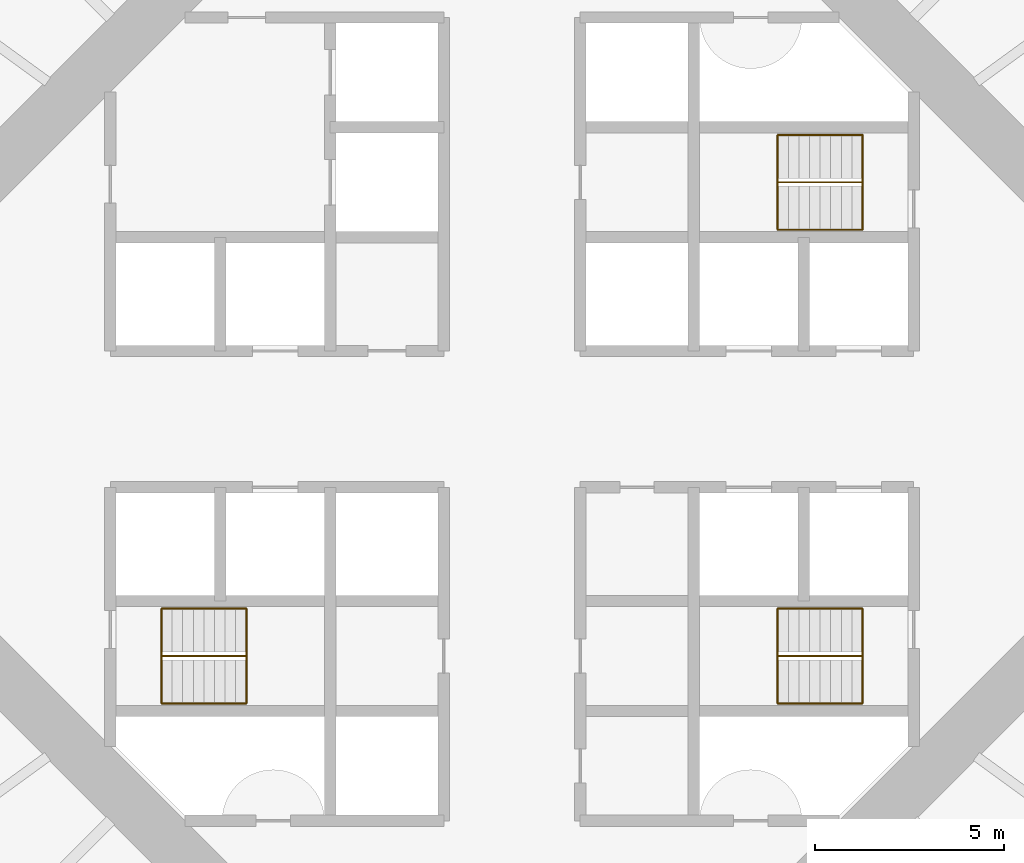
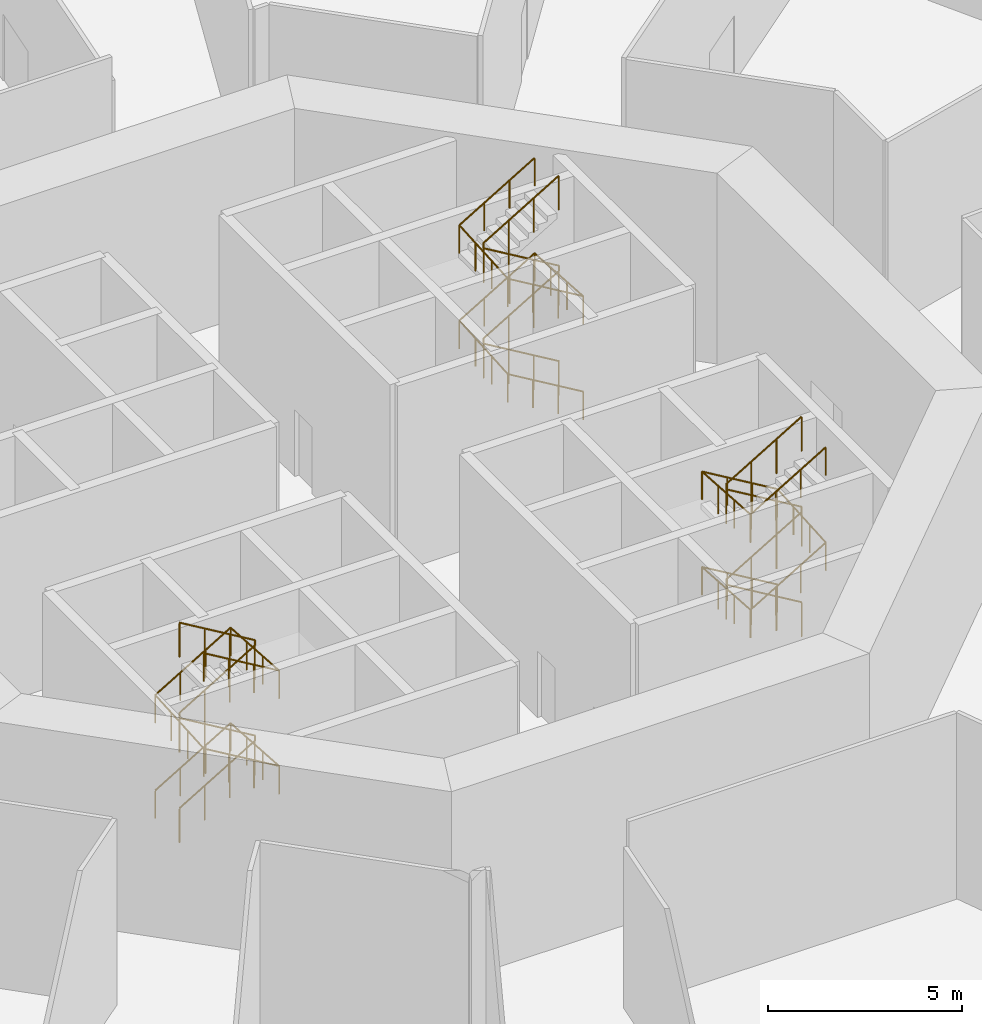
# One storey, part 14 of 14: 6 railings.
"""IFC4 building model written with IfcOpenShell, lengths in metres."""

from ifc_helpers import new_model, si_unit, direction, frame, origin, origin_2d, place, context, subcontext, project, spatial, circle, extrude, material, type_object, element, save


model = new_model("IFC4")

# Units and contexts
model_context = context("Model", 3, precision=1e-05, world=origin(), true_north=direction((0.0, 1.0)))
body_context = subcontext(model_context, "Body", "Model", "MODEL_VIEW")
ifc_project = project(units=[si_unit("LENGTHUNIT", "METRE"), si_unit("AREAUNIT", "SQUARE_METRE"), si_unit("VOLUMEUNIT", "CUBIC_METRE"), si_unit("PLANEANGLEUNIT", "RADIAN"), si_unit("MASSUNIT", "GRAM", prefix="KILO")], contexts=[model_context])

# Site, building, storey
site_placement = place(None, origin())
site = spatial("IfcSite", under=ifc_project, at=site_placement, CompositionType="ELEMENT")
building_placement = place(site_placement, origin())
building = spatial("IfcBuilding", under=site, at=building_placement, Name="Entoto Ring Tower", CompositionType="ELEMENT")
storey_placement = place(building_placement, frame((0.0, 0.0, 12.0)))
storey = spatial("IfcBuildingStorey", under=building, at=storey_placement, Name="L01", CompositionType="ELEMENT", Elevation=12.0)

# Railings
ifc_material_1 = material(Name="Steel S275", Category="steel")
railing_type_1 = type_object("IfcRailingType", Name="Stair guard 1100 mm steel", PredefinedType="GUARDRAIL", material=ifc_material_1)
railing_1_placement = place(storey_placement, frame((99.25, 86.25, 0.166748046875)))
element("IfcRailing", 1, at=railing_1_placement, inside=storey, type_object=railing_type_1, Name="Guard ST1", PredefinedType="GUARDRAIL", context=body_context, shape_type="SweptSolid", body=[
    extrude(circle(Radius=0.02392578125, at=origin_2d()), frame((0.0, 0.0, 1.076171875), z_axis=(-0.859305625298, 0.0, 0.511462454469), x_axis=(0.0, -1.0, 0.0)), (0.0, 0.0, 1.0), 2.606689453125),
    extrude(circle(Radius=0.02392578125, at=origin_2d()), frame((-2.239990234375, 0.0, 2.4091796875), z_axis=(0.0, 0.0, 1.0), x_axis=(1.0, 0.0, 0.0)), (0.0, 0.0, 1.0), 0.166748046875),
    extrude(circle(Radius=0.02392578125, at=origin_2d()), frame((-2.239990234375, 0.0, 2.576171875), z_axis=(0.859305625298, 0.0, 0.511462454469), x_axis=(0.0, 1.0, 0.0)), (0.0, 0.0, 1.0), 2.606689453125),
    extrude(circle(Radius=0.02392578125, at=origin_2d()), frame((0.0, 0.0, 3.9091796875), z_axis=(0.0, 0.0, 1.0), x_axis=(1.0, 0.0, 0.0)), (0.0, 0.0, 1.0), 0.166748046875),
    extrude(circle(Radius=0.02392578125, at=origin_2d()), frame((0.0, 0.0, 4.076171875), z_axis=(-0.859305625298, 0.0, 0.511462454469), x_axis=(0.0, -1.0, 0.0)), (0.0, 0.0, 1.0), 2.606689453125),
    extrude(circle(Radius=0.02392578125, at=origin_2d()), frame((-2.239990234375, 0.0, 5.4091796875), z_axis=(0.0, 0.0, 1.0), x_axis=(1.0, 0.0, 0.0)), (0.0, 0.0, 1.0), 0.166748046875),
    extrude(circle(Radius=0.02392578125, at=origin_2d()), frame((-2.239990234375, 0.0, 5.576171875), z_axis=(0.859305625298, 0.0, 0.511462454469), x_axis=(0.0, 1.0, 0.0)), (0.0, 0.0, 1.0), 2.606689453125),
    extrude(circle(Radius=0.02099609375, at=origin_2d()), origin(), (0.0, 0.0, 1.0), 1.052001953125),
    extrude(circle(Radius=0.02099609375, at=origin_2d()), frame((-0.74658203125, 0.0, 0.4443359375)), (0.0, 0.0, 1.0), 1.052001953125),
    extrude(circle(Radius=0.02099609375, at=origin_2d()), frame((-1.493408203125, 0.0, 0.888916015625)), (0.0, 0.0, 1.0), 1.052001953125),
    extrude(circle(Radius=0.02099609375, at=origin_2d()), frame((-2.239990234375, 0.0, 1.333251953125)), (0.0, 0.0, 1.0), 1.052001953125),
    extrude(circle(Radius=0.02099609375, at=origin_2d()), frame((-2.239990234375, 0.0, 1.5)), (0.0, 0.0, 1.0), 1.052001953125),
    extrude(circle(Radius=0.02099609375, at=origin_2d()), frame((-1.493408203125, 0.0, 1.9443359375)), (0.0, 0.0, 1.0), 1.052001953125),
    extrude(circle(Radius=0.02099609375, at=origin_2d()), frame((-0.74658203125, 0.0, 2.388916015625)), (0.0, 0.0, 1.0), 1.052001953125),
    extrude(circle(Radius=0.02099609375, at=origin_2d()), frame((0.0, 0.0, 2.833251953125)), (0.0, 0.0, 1.0), 1.052001953125),
    extrude(circle(Radius=0.02099609375, at=origin_2d()), frame((0.0, 0.0, 3.0)), (0.0, 0.0, 1.0), 1.052001953125),
    extrude(circle(Radius=0.02099609375, at=origin_2d()), frame((-0.74658203125, 0.0, 3.4443359375)), (0.0, 0.0, 1.0), 1.052001953125),
    extrude(circle(Radius=0.02099609375, at=origin_2d()), frame((-1.493408203125, 0.0, 3.888916015625)), (0.0, 0.0, 1.0), 1.052001953125),
    extrude(circle(Radius=0.02099609375, at=origin_2d()), frame((-2.239990234375, 0.0, 4.333251953125)), (0.0, 0.0, 1.0), 1.052001953125),
    extrude(circle(Radius=0.02099609375, at=origin_2d()), frame((-2.239990234375, 0.0, 4.5)), (0.0, 0.0, 1.0), 1.052001953125),
    extrude(circle(Radius=0.02099609375, at=origin_2d()), frame((-1.493408203125, 0.0, 4.9443359375)), (0.0, 0.0, 1.0), 1.052001953125),
    extrude(circle(Radius=0.02099609375, at=origin_2d()), frame((-0.74658203125, 0.0, 5.388916015625)), (0.0, 0.0, 1.0), 1.052001953125),
    extrude(circle(Radius=0.02099609375, at=origin_2d()), frame((0.0, 0.0, 5.833251953125)), (0.0, 0.0, 1.0), 1.052001953125),
])
railing_2_placement = place(storey_placement, frame((80.75, 73.75, 0.166748046875)))
element("IfcRailing", 2, at=railing_2_placement, inside=storey, type_object=railing_type_1, Name="Guard ST2", PredefinedType="GUARDRAIL", context=body_context, shape_type="SweptSolid", body=[
    extrude(circle(Radius=0.02392578125, at=origin_2d()), frame((0.0, 0.0, 1.076171875), z_axis=(0.859305625298, 0.0, 0.511462454469), x_axis=(0.0, 1.0, 0.0)), (0.0, 0.0, 1.0), 2.606689453125),
    extrude(circle(Radius=0.02392578125, at=origin_2d()), frame((2.239990234375, 0.0, 2.4091796875), z_axis=(0.0, 0.0, 1.0), x_axis=(1.0, 0.0, 0.0)), (0.0, 0.0, 1.0), 0.166748046875),
    extrude(circle(Radius=0.02392578125, at=origin_2d()), frame((2.239990234375, 0.0, 2.576171875), z_axis=(-0.859305625298, 0.0, 0.511462454469), x_axis=(0.0, -1.0, 0.0)), (0.0, 0.0, 1.0), 2.606689453125),
    extrude(circle(Radius=0.02392578125, at=origin_2d()), frame((0.0, 0.0, 3.9091796875), z_axis=(0.0, 0.0, 1.0), x_axis=(1.0, 0.0, 0.0)), (0.0, 0.0, 1.0), 0.166748046875),
    extrude(circle(Radius=0.02392578125, at=origin_2d()), frame((0.0, 0.0, 4.076171875), z_axis=(0.859305625298, 0.0, 0.511462454469), x_axis=(0.0, 1.0, 0.0)), (0.0, 0.0, 1.0), 2.606689453125),
    extrude(circle(Radius=0.02392578125, at=origin_2d()), frame((2.239990234375, 0.0, 5.4091796875), z_axis=(0.0, 0.0, 1.0), x_axis=(1.0, 0.0, 0.0)), (0.0, 0.0, 1.0), 0.166748046875),
    extrude(circle(Radius=0.02392578125, at=origin_2d()), frame((2.239990234375, 0.0, 5.576171875), z_axis=(-0.859305625298, 0.0, 0.511462454469), x_axis=(0.0, -1.0, 0.0)), (0.0, 0.0, 1.0), 2.606689453125),
    extrude(circle(Radius=0.02099609375, at=origin_2d()), origin(), (0.0, 0.0, 1.0), 1.052001953125),
    extrude(circle(Radius=0.02099609375, at=origin_2d()), frame((0.74658203125, 0.0, 0.4443359375)), (0.0, 0.0, 1.0), 1.052001953125),
    extrude(circle(Radius=0.02099609375, at=origin_2d()), frame((1.493408203125, 0.0, 0.888916015625)), (0.0, 0.0, 1.0), 1.052001953125),
    extrude(circle(Radius=0.02099609375, at=origin_2d()), frame((2.239990234375, 0.0, 1.333251953125)), (0.0, 0.0, 1.0), 1.052001953125),
    extrude(circle(Radius=0.02099609375, at=origin_2d()), frame((2.239990234375, 0.0, 1.5)), (0.0, 0.0, 1.0), 1.052001953125),
    extrude(circle(Radius=0.02099609375, at=origin_2d()), frame((1.493408203125, 0.0, 1.9443359375)), (0.0, 0.0, 1.0), 1.052001953125),
    extrude(circle(Radius=0.02099609375, at=origin_2d()), frame((0.74658203125, 0.0, 2.388916015625)), (0.0, 0.0, 1.0), 1.052001953125),
    extrude(circle(Radius=0.02099609375, at=origin_2d()), frame((0.0, 0.0, 2.833251953125)), (0.0, 0.0, 1.0), 1.052001953125),
    extrude(circle(Radius=0.02099609375, at=origin_2d()), frame((0.0, 0.0, 3.0)), (0.0, 0.0, 1.0), 1.052001953125),
    extrude(circle(Radius=0.02099609375, at=origin_2d()), frame((0.74658203125, 0.0, 3.4443359375)), (0.0, 0.0, 1.0), 1.052001953125),
    extrude(circle(Radius=0.02099609375, at=origin_2d()), frame((1.493408203125, 0.0, 3.888916015625)), (0.0, 0.0, 1.0), 1.052001953125),
    extrude(circle(Radius=0.02099609375, at=origin_2d()), frame((2.239990234375, 0.0, 4.333251953125)), (0.0, 0.0, 1.0), 1.052001953125),
    extrude(circle(Radius=0.02099609375, at=origin_2d()), frame((2.239990234375, 0.0, 4.5)), (0.0, 0.0, 1.0), 1.052001953125),
    extrude(circle(Radius=0.02099609375, at=origin_2d()), frame((1.493408203125, 0.0, 4.9443359375)), (0.0, 0.0, 1.0), 1.052001953125),
    extrude(circle(Radius=0.02099609375, at=origin_2d()), frame((0.74658203125, 0.0, 5.388916015625)), (0.0, 0.0, 1.0), 1.052001953125),
    extrude(circle(Radius=0.02099609375, at=origin_2d()), frame((0.0, 0.0, 5.833251953125)), (0.0, 0.0, 1.0), 1.052001953125),
])
railing_3_placement = place(storey_placement, frame((99.25, 73.75, 0.166748046875)))
element("IfcRailing", 3, at=railing_3_placement, inside=storey, type_object=railing_type_1, Name="Guard ST3", PredefinedType="GUARDRAIL", context=body_context, shape_type="SweptSolid", body=[
    extrude(circle(Radius=0.02392578125, at=origin_2d()), frame((0.0, 0.0, 1.076171875), z_axis=(-0.859305625298, 0.0, 0.511462454469), x_axis=(0.0, -1.0, 0.0)), (0.0, 0.0, 1.0), 2.606689453125),
    extrude(circle(Radius=0.02392578125, at=origin_2d()), frame((-2.239990234375, 0.0, 2.4091796875), z_axis=(0.0, 0.0, 1.0), x_axis=(1.0, 0.0, 0.0)), (0.0, 0.0, 1.0), 0.166748046875),
    extrude(circle(Radius=0.02392578125, at=origin_2d()), frame((-2.239990234375, 0.0, 2.576171875), z_axis=(0.859305625298, 0.0, 0.511462454469), x_axis=(0.0, 1.0, 0.0)), (0.0, 0.0, 1.0), 2.606689453125),
    extrude(circle(Radius=0.02392578125, at=origin_2d()), frame((0.0, 0.0, 3.9091796875), z_axis=(0.0, 0.0, 1.0), x_axis=(1.0, 0.0, 0.0)), (0.0, 0.0, 1.0), 0.166748046875),
    extrude(circle(Radius=0.02392578125, at=origin_2d()), frame((0.0, 0.0, 4.076171875), z_axis=(-0.859305625298, 0.0, 0.511462454469), x_axis=(0.0, -1.0, 0.0)), (0.0, 0.0, 1.0), 2.606689453125),
    extrude(circle(Radius=0.02392578125, at=origin_2d()), frame((-2.239990234375, 0.0, 5.4091796875), z_axis=(0.0, 0.0, 1.0), x_axis=(1.0, 0.0, 0.0)), (0.0, 0.0, 1.0), 0.166748046875),
    extrude(circle(Radius=0.02392578125, at=origin_2d()), frame((-2.239990234375, 0.0, 5.576171875), z_axis=(0.859305625298, 0.0, 0.511462454469), x_axis=(0.0, 1.0, 0.0)), (0.0, 0.0, 1.0), 2.606689453125),
    extrude(circle(Radius=0.02099609375, at=origin_2d()), origin(), (0.0, 0.0, 1.0), 1.052001953125),
    extrude(circle(Radius=0.02099609375, at=origin_2d()), frame((-0.74658203125, 0.0, 0.4443359375)), (0.0, 0.0, 1.0), 1.052001953125),
    extrude(circle(Radius=0.02099609375, at=origin_2d()), frame((-1.493408203125, 0.0, 0.888916015625)), (0.0, 0.0, 1.0), 1.052001953125),
    extrude(circle(Radius=0.02099609375, at=origin_2d()), frame((-2.239990234375, 0.0, 1.333251953125)), (0.0, 0.0, 1.0), 1.052001953125),
    extrude(circle(Radius=0.02099609375, at=origin_2d()), frame((-2.239990234375, 0.0, 1.5)), (0.0, 0.0, 1.0), 1.052001953125),
    extrude(circle(Radius=0.02099609375, at=origin_2d()), frame((-1.493408203125, 0.0, 1.9443359375)), (0.0, 0.0, 1.0), 1.052001953125),
    extrude(circle(Radius=0.02099609375, at=origin_2d()), frame((-0.74658203125, 0.0, 2.388916015625)), (0.0, 0.0, 1.0), 1.052001953125),
    extrude(circle(Radius=0.02099609375, at=origin_2d()), frame((0.0, 0.0, 2.833251953125)), (0.0, 0.0, 1.0), 1.052001953125),
    extrude(circle(Radius=0.02099609375, at=origin_2d()), frame((0.0, 0.0, 3.0)), (0.0, 0.0, 1.0), 1.052001953125),
    extrude(circle(Radius=0.02099609375, at=origin_2d()), frame((-0.74658203125, 0.0, 3.4443359375)), (0.0, 0.0, 1.0), 1.052001953125),
    extrude(circle(Radius=0.02099609375, at=origin_2d()), frame((-1.493408203125, 0.0, 3.888916015625)), (0.0, 0.0, 1.0), 1.052001953125),
    extrude(circle(Radius=0.02099609375, at=origin_2d()), frame((-2.239990234375, 0.0, 4.333251953125)), (0.0, 0.0, 1.0), 1.052001953125),
    extrude(circle(Radius=0.02099609375, at=origin_2d()), frame((-2.239990234375, 0.0, 4.5)), (0.0, 0.0, 1.0), 1.052001953125),
    extrude(circle(Radius=0.02099609375, at=origin_2d()), frame((-1.493408203125, 0.0, 4.9443359375)), (0.0, 0.0, 1.0), 1.052001953125),
    extrude(circle(Radius=0.02099609375, at=origin_2d()), frame((-0.74658203125, 0.0, 5.388916015625)), (0.0, 0.0, 1.0), 1.052001953125),
    extrude(circle(Radius=0.02099609375, at=origin_2d()), frame((0.0, 0.0, 5.833251953125)), (0.0, 0.0, 1.0), 1.052001953125),
])
ifc_material_2 = material(Name="Steel S275", Category="steel")
railing_type_2 = type_object("IfcRailingType", Name="Stair handrail 900 mm steel", PredefinedType="HANDRAIL", material=ifc_material_2)
railing_4_placement = place(storey_placement, frame((99.25, 85.0, 0.166748046875)))
element("IfcRailing", 4, at=railing_4_placement, inside=storey, type_object=railing_type_2, Name="Handrail ST1", PredefinedType="HANDRAIL", context=body_context, shape_type="SweptSolid", body=[
    extrude(circle(Radius=0.02392578125, at=origin_2d()), frame((0.0, 0.0, 0.8759765625), z_axis=(-0.859305625298, 0.0, 0.511462454469), x_axis=(0.0, -1.0, 0.0)), (0.0, 0.0, 1.0), 2.606689453125),
    extrude(circle(Radius=0.02392578125, at=origin_2d()), frame((-2.239990234375, 0.0, 2.208984375), z_axis=(0.0, 0.997783001586, 0.066551346688), x_axis=(-1.0, 0.0, 0.0)), (0.0, 0.0, 1.0), 2.505615234375),
    extrude(circle(Radius=0.02392578125, at=origin_2d()), frame((-2.239990234375, 2.5, 2.3759765625), z_axis=(0.859305625298, 0.0, 0.511462454469), x_axis=(0.0, 1.0, 0.0)), (0.0, 0.0, 1.0), 2.606689453125),
    extrude(circle(Radius=0.02392578125, at=origin_2d()), frame((0.0, 2.5, 3.708984375), z_axis=(0.0, -0.997783001586, 0.066551346688), x_axis=(1.0, 0.0, 0.0)), (0.0, 0.0, 1.0), 2.505615234375),
    extrude(circle(Radius=0.02392578125, at=origin_2d()), frame((0.0, 0.0, 3.8759765625), z_axis=(-0.859305625298, 0.0, 0.511462454469), x_axis=(0.0, -1.0, 0.0)), (0.0, 0.0, 1.0), 2.606689453125),
    extrude(circle(Radius=0.02392578125, at=origin_2d()), frame((-2.239990234375, 0.0, 5.208984375), z_axis=(0.0, 0.997783001586, 0.066551346688), x_axis=(-1.0, 0.0, 0.0)), (0.0, 0.0, 1.0), 2.505615234375),
    extrude(circle(Radius=0.02392578125, at=origin_2d()), frame((-2.239990234375, 2.5, 5.3759765625), z_axis=(0.859305625298, 0.0, 0.511462454469), x_axis=(0.0, 1.0, 0.0)), (0.0, 0.0, 1.0), 2.606689453125),
    extrude(circle(Radius=0.02099609375, at=origin_2d()), origin(), (0.0, 0.0, 1.0), 0.851806640625),
    extrude(circle(Radius=0.02099609375, at=origin_2d()), frame((-0.74658203125, 0.0, 0.4443359375)), (0.0, 0.0, 1.0), 0.851806640625),
    extrude(circle(Radius=0.02099609375, at=origin_2d()), frame((-1.493408203125, 0.0, 0.888916015625)), (0.0, 0.0, 1.0), 0.851806640625),
    extrude(circle(Radius=0.02099609375, at=origin_2d()), frame((-2.239990234375, 0.0, 1.333251953125)), (0.0, 0.0, 1.0), 0.851806640625),
    extrude(circle(Radius=0.02099609375, at=origin_2d()), frame((-2.239990234375, 0.833251953125, 1.388916015625)), (0.0, 0.0, 1.0), 0.851806640625),
    extrude(circle(Radius=0.02099609375, at=origin_2d()), frame((-2.239990234375, 1.666748046875, 1.4443359375)), (0.0, 0.0, 1.0), 0.851806640625),
    extrude(circle(Radius=0.02099609375, at=origin_2d()), frame((-2.239990234375, 2.5, 1.5)), (0.0, 0.0, 1.0), 0.851806640625),
    extrude(circle(Radius=0.02099609375, at=origin_2d()), frame((-1.493408203125, 2.5, 1.9443359375)), (0.0, 0.0, 1.0), 0.851806640625),
    extrude(circle(Radius=0.02099609375, at=origin_2d()), frame((-0.74658203125, 2.5, 2.388916015625)), (0.0, 0.0, 1.0), 0.851806640625),
    extrude(circle(Radius=0.02099609375, at=origin_2d()), frame((0.0, 2.5, 2.833251953125)), (0.0, 0.0, 1.0), 0.851806640625),
    extrude(circle(Radius=0.02099609375, at=origin_2d()), frame((0.0, 1.666748046875, 2.888916015625)), (0.0, 0.0, 1.0), 0.851806640625),
    extrude(circle(Radius=0.02099609375, at=origin_2d()), frame((0.0, 0.833251953125, 2.9443359375)), (0.0, 0.0, 1.0), 0.851806640625),
    extrude(circle(Radius=0.02099609375, at=origin_2d()), frame((0.0, 0.0, 3.0)), (0.0, 0.0, 1.0), 0.851806640625),
    extrude(circle(Radius=0.02099609375, at=origin_2d()), frame((-0.74658203125, 0.0, 3.4443359375)), (0.0, 0.0, 1.0), 0.851806640625),
    extrude(circle(Radius=0.02099609375, at=origin_2d()), frame((-1.493408203125, 0.0, 3.888916015625)), (0.0, 0.0, 1.0), 0.851806640625),
    extrude(circle(Radius=0.02099609375, at=origin_2d()), frame((-2.239990234375, 0.0, 4.333251953125)), (0.0, 0.0, 1.0), 0.851806640625),
    extrude(circle(Radius=0.02099609375, at=origin_2d()), frame((-2.239990234375, 0.833251953125, 4.388916015625)), (0.0, 0.0, 1.0), 0.851806640625),
    extrude(circle(Radius=0.02099609375, at=origin_2d()), frame((-2.239990234375, 1.666748046875, 4.4443359375)), (0.0, 0.0, 1.0), 0.851806640625),
    extrude(circle(Radius=0.02099609375, at=origin_2d()), frame((-2.239990234375, 2.5, 4.5)), (0.0, 0.0, 1.0), 0.851806640625),
    extrude(circle(Radius=0.02099609375, at=origin_2d()), frame((-1.493408203125, 2.5, 4.9443359375)), (0.0, 0.0, 1.0), 0.851806640625),
    extrude(circle(Radius=0.02099609375, at=origin_2d()), frame((-0.74658203125, 2.5, 5.388916015625)), (0.0, 0.0, 1.0), 0.851806640625),
    extrude(circle(Radius=0.02099609375, at=origin_2d()), frame((0.0, 2.5, 5.833251953125)), (0.0, 0.0, 1.0), 0.851806640625),
])
railing_5_placement = place(storey_placement, frame((80.75, 75.0, 0.166748046875)))
element("IfcRailing", 5, at=railing_5_placement, inside=storey, type_object=railing_type_2, Name="Handrail ST2", PredefinedType="HANDRAIL", context=body_context, shape_type="SweptSolid", body=[
    extrude(circle(Radius=0.02392578125, at=origin_2d()), frame((0.0, 0.0, 0.8759765625), z_axis=(0.859305625298, 0.0, 0.511462454469), x_axis=(0.0, 1.0, 0.0)), (0.0, 0.0, 1.0), 2.606689453125),
    extrude(circle(Radius=0.02392578125, at=origin_2d()), frame((2.239990234375, 0.0, 2.208984375), z_axis=(0.0, -0.997783001586, 0.066551346688), x_axis=(1.0, 0.0, 0.0)), (0.0, 0.0, 1.0), 2.505615234375),
    extrude(circle(Radius=0.02392578125, at=origin_2d()), frame((2.239990234375, -2.5, 2.3759765625), z_axis=(-0.859305625298, 0.0, 0.511462454469), x_axis=(0.0, -1.0, 0.0)), (0.0, 0.0, 1.0), 2.606689453125),
    extrude(circle(Radius=0.02392578125, at=origin_2d()), frame((0.0, -2.5, 3.708984375), z_axis=(0.0, 0.997783001586, 0.066551346688), x_axis=(-1.0, 0.0, 0.0)), (0.0, 0.0, 1.0), 2.505615234375),
    extrude(circle(Radius=0.02392578125, at=origin_2d()), frame((0.0, 0.0, 3.8759765625), z_axis=(0.859305625298, 0.0, 0.511462454469), x_axis=(0.0, 1.0, 0.0)), (0.0, 0.0, 1.0), 2.606689453125),
    extrude(circle(Radius=0.02392578125, at=origin_2d()), frame((2.239990234375, 0.0, 5.208984375), z_axis=(0.0, -0.997783001586, 0.066551346688), x_axis=(1.0, 0.0, 0.0)), (0.0, 0.0, 1.0), 2.505615234375),
    extrude(circle(Radius=0.02392578125, at=origin_2d()), frame((2.239990234375, -2.5, 5.3759765625), z_axis=(-0.859305625298, 0.0, 0.511462454469), x_axis=(0.0, -1.0, 0.0)), (0.0, 0.0, 1.0), 2.606689453125),
    extrude(circle(Radius=0.02099609375, at=origin_2d()), origin(), (0.0, 0.0, 1.0), 0.851806640625),
    extrude(circle(Radius=0.02099609375, at=origin_2d()), frame((0.74658203125, 0.0, 0.4443359375)), (0.0, 0.0, 1.0), 0.851806640625),
    extrude(circle(Radius=0.02099609375, at=origin_2d()), frame((1.493408203125, 0.0, 0.888916015625)), (0.0, 0.0, 1.0), 0.851806640625),
    extrude(circle(Radius=0.02099609375, at=origin_2d()), frame((2.239990234375, 0.0, 1.333251953125)), (0.0, 0.0, 1.0), 0.851806640625),
    extrude(circle(Radius=0.02099609375, at=origin_2d()), frame((2.239990234375, -0.833251953125, 1.388916015625)), (0.0, 0.0, 1.0), 0.851806640625),
    extrude(circle(Radius=0.02099609375, at=origin_2d()), frame((2.239990234375, -1.666748046875, 1.4443359375)), (0.0, 0.0, 1.0), 0.851806640625),
    extrude(circle(Radius=0.02099609375, at=origin_2d()), frame((2.239990234375, -2.5, 1.5)), (0.0, 0.0, 1.0), 0.851806640625),
    extrude(circle(Radius=0.02099609375, at=origin_2d()), frame((1.493408203125, -2.5, 1.9443359375)), (0.0, 0.0, 1.0), 0.851806640625),
    extrude(circle(Radius=0.02099609375, at=origin_2d()), frame((0.74658203125, -2.5, 2.388916015625)), (0.0, 0.0, 1.0), 0.851806640625),
    extrude(circle(Radius=0.02099609375, at=origin_2d()), frame((0.0, -2.5, 2.833251953125)), (0.0, 0.0, 1.0), 0.851806640625),
    extrude(circle(Radius=0.02099609375, at=origin_2d()), frame((0.0, -1.666748046875, 2.888916015625)), (0.0, 0.0, 1.0), 0.851806640625),
    extrude(circle(Radius=0.02099609375, at=origin_2d()), frame((0.0, -0.833251953125, 2.9443359375)), (0.0, 0.0, 1.0), 0.851806640625),
    extrude(circle(Radius=0.02099609375, at=origin_2d()), frame((0.0, 0.0, 3.0)), (0.0, 0.0, 1.0), 0.851806640625),
    extrude(circle(Radius=0.02099609375, at=origin_2d()), frame((0.74658203125, 0.0, 3.4443359375)), (0.0, 0.0, 1.0), 0.851806640625),
    extrude(circle(Radius=0.02099609375, at=origin_2d()), frame((1.493408203125, 0.0, 3.888916015625)), (0.0, 0.0, 1.0), 0.851806640625),
    extrude(circle(Radius=0.02099609375, at=origin_2d()), frame((2.239990234375, 0.0, 4.333251953125)), (0.0, 0.0, 1.0), 0.851806640625),
    extrude(circle(Radius=0.02099609375, at=origin_2d()), frame((2.239990234375, -0.833251953125, 4.388916015625)), (0.0, 0.0, 1.0), 0.851806640625),
    extrude(circle(Radius=0.02099609375, at=origin_2d()), frame((2.239990234375, -1.666748046875, 4.4443359375)), (0.0, 0.0, 1.0), 0.851806640625),
    extrude(circle(Radius=0.02099609375, at=origin_2d()), frame((2.239990234375, -2.5, 4.5)), (0.0, 0.0, 1.0), 0.851806640625),
    extrude(circle(Radius=0.02099609375, at=origin_2d()), frame((1.493408203125, -2.5, 4.9443359375)), (0.0, 0.0, 1.0), 0.851806640625),
    extrude(circle(Radius=0.02099609375, at=origin_2d()), frame((0.74658203125, -2.5, 5.388916015625)), (0.0, 0.0, 1.0), 0.851806640625),
    extrude(circle(Radius=0.02099609375, at=origin_2d()), frame((0.0, -2.5, 5.833251953125)), (0.0, 0.0, 1.0), 0.851806640625),
])
railing_6_placement = place(storey_placement, frame((99.25, 75.0, 0.166748046875)))
element("IfcRailing", 6, at=railing_6_placement, inside=storey, type_object=railing_type_2, Name="Handrail ST3", PredefinedType="HANDRAIL", context=body_context, shape_type="SweptSolid", body=[
    extrude(circle(Radius=0.02392578125, at=origin_2d()), frame((0.0, 0.0, 0.8759765625), z_axis=(-0.859305625298, 0.0, 0.511462454469), x_axis=(0.0, -1.0, 0.0)), (0.0, 0.0, 1.0), 2.606689453125),
    extrude(circle(Radius=0.02392578125, at=origin_2d()), frame((-2.239990234375, 0.0, 2.208984375), z_axis=(0.0, -0.997783001586, 0.066551346688), x_axis=(1.0, 0.0, 0.0)), (0.0, 0.0, 1.0), 2.505615234375),
    extrude(circle(Radius=0.02392578125, at=origin_2d()), frame((-2.239990234375, -2.5, 2.3759765625), z_axis=(0.859305625298, 0.0, 0.511462454469), x_axis=(0.0, 1.0, 0.0)), (0.0, 0.0, 1.0), 2.606689453125),
    extrude(circle(Radius=0.02392578125, at=origin_2d()), frame((0.0, -2.5, 3.708984375), z_axis=(0.0, 0.997783001586, 0.066551346688), x_axis=(-1.0, 0.0, 0.0)), (0.0, 0.0, 1.0), 2.505615234375),
    extrude(circle(Radius=0.02392578125, at=origin_2d()), frame((0.0, 0.0, 3.8759765625), z_axis=(-0.859305625298, 0.0, 0.511462454469), x_axis=(0.0, -1.0, 0.0)), (0.0, 0.0, 1.0), 2.606689453125),
    extrude(circle(Radius=0.02392578125, at=origin_2d()), frame((-2.239990234375, 0.0, 5.208984375), z_axis=(0.0, -0.997783001586, 0.066551346688), x_axis=(1.0, 0.0, 0.0)), (0.0, 0.0, 1.0), 2.505615234375),
    extrude(circle(Radius=0.02392578125, at=origin_2d()), frame((-2.239990234375, -2.5, 5.3759765625), z_axis=(0.859305625298, 0.0, 0.511462454469), x_axis=(0.0, 1.0, 0.0)), (0.0, 0.0, 1.0), 2.606689453125),
    extrude(circle(Radius=0.02099609375, at=origin_2d()), origin(), (0.0, 0.0, 1.0), 0.851806640625),
    extrude(circle(Radius=0.02099609375, at=origin_2d()), frame((-0.74658203125, 0.0, 0.4443359375)), (0.0, 0.0, 1.0), 0.851806640625),
    extrude(circle(Radius=0.02099609375, at=origin_2d()), frame((-1.493408203125, 0.0, 0.888916015625)), (0.0, 0.0, 1.0), 0.851806640625),
    extrude(circle(Radius=0.02099609375, at=origin_2d()), frame((-2.239990234375, 0.0, 1.333251953125)), (0.0, 0.0, 1.0), 0.851806640625),
    extrude(circle(Radius=0.02099609375, at=origin_2d()), frame((-2.239990234375, -0.833251953125, 1.388916015625)), (0.0, 0.0, 1.0), 0.851806640625),
    extrude(circle(Radius=0.02099609375, at=origin_2d()), frame((-2.239990234375, -1.666748046875, 1.4443359375)), (0.0, 0.0, 1.0), 0.851806640625),
    extrude(circle(Radius=0.02099609375, at=origin_2d()), frame((-2.239990234375, -2.5, 1.5)), (0.0, 0.0, 1.0), 0.851806640625),
    extrude(circle(Radius=0.02099609375, at=origin_2d()), frame((-1.493408203125, -2.5, 1.9443359375)), (0.0, 0.0, 1.0), 0.851806640625),
    extrude(circle(Radius=0.02099609375, at=origin_2d()), frame((-0.74658203125, -2.5, 2.388916015625)), (0.0, 0.0, 1.0), 0.851806640625),
    extrude(circle(Radius=0.02099609375, at=origin_2d()), frame((0.0, -2.5, 2.833251953125)), (0.0, 0.0, 1.0), 0.851806640625),
    extrude(circle(Radius=0.02099609375, at=origin_2d()), frame((0.0, -1.666748046875, 2.888916015625)), (0.0, 0.0, 1.0), 0.851806640625),
    extrude(circle(Radius=0.02099609375, at=origin_2d()), frame((0.0, -0.833251953125, 2.9443359375)), (0.0, 0.0, 1.0), 0.851806640625),
    extrude(circle(Radius=0.02099609375, at=origin_2d()), frame((0.0, 0.0, 3.0)), (0.0, 0.0, 1.0), 0.851806640625),
    extrude(circle(Radius=0.02099609375, at=origin_2d()), frame((-0.74658203125, 0.0, 3.4443359375)), (0.0, 0.0, 1.0), 0.851806640625),
    extrude(circle(Radius=0.02099609375, at=origin_2d()), frame((-1.493408203125, 0.0, 3.888916015625)), (0.0, 0.0, 1.0), 0.851806640625),
    extrude(circle(Radius=0.02099609375, at=origin_2d()), frame((-2.239990234375, 0.0, 4.333251953125)), (0.0, 0.0, 1.0), 0.851806640625),
    extrude(circle(Radius=0.02099609375, at=origin_2d()), frame((-2.239990234375, -0.833251953125, 4.388916015625)), (0.0, 0.0, 1.0), 0.851806640625),
    extrude(circle(Radius=0.02099609375, at=origin_2d()), frame((-2.239990234375, -1.666748046875, 4.4443359375)), (0.0, 0.0, 1.0), 0.851806640625),
    extrude(circle(Radius=0.02099609375, at=origin_2d()), frame((-2.239990234375, -2.5, 4.5)), (0.0, 0.0, 1.0), 0.851806640625),
    extrude(circle(Radius=0.02099609375, at=origin_2d()), frame((-1.493408203125, -2.5, 4.9443359375)), (0.0, 0.0, 1.0), 0.851806640625),
    extrude(circle(Radius=0.02099609375, at=origin_2d()), frame((-0.74658203125, -2.5, 5.388916015625)), (0.0, 0.0, 1.0), 0.851806640625),
    extrude(circle(Radius=0.02099609375, at=origin_2d()), frame((0.0, -2.5, 5.833251953125)), (0.0, 0.0, 1.0), 0.851806640625),
])

save(model, "model.ifc")
